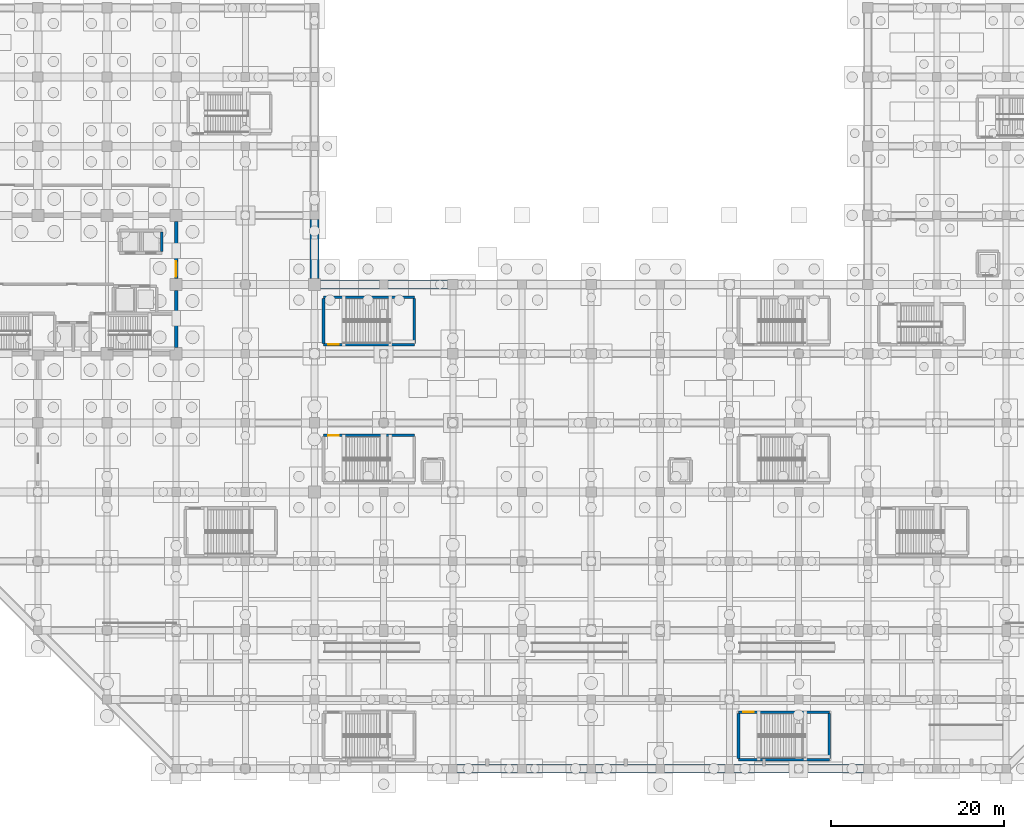
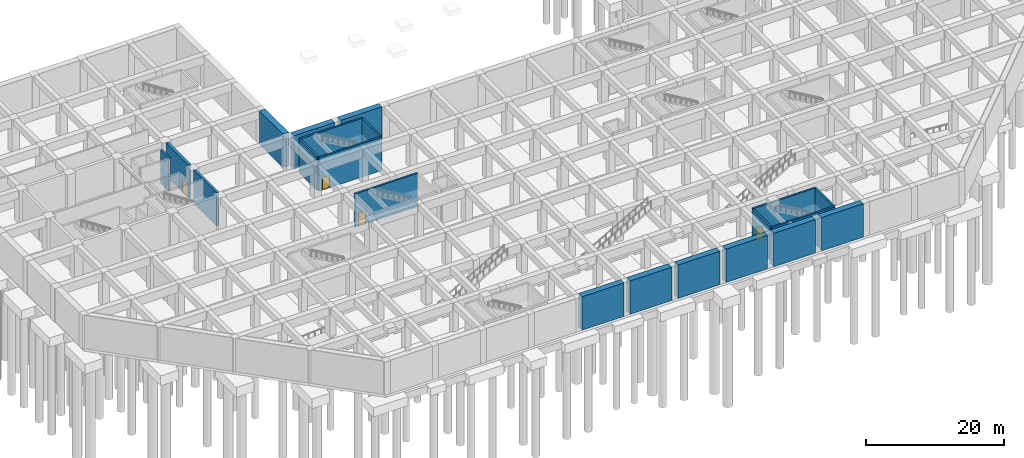
# One storey, part 16 of 26: 21 walls, 4 doors, 4 openings.
"""IFC4 building model written with IfcOpenShell, lengths in metres."""

from ifc_helpers import new_model, si_unit, direction, frame, frame_2d, origin, place, context, subcontext, project, spatial, rectangle, extrude, material, layer, layer_set, type_object, element, fill, save


model = new_model("IFC4")

# Units and contexts
model_context = context("Model", 3, precision=1e-05, world=origin(), true_north=direction((0.0, 1.0)))
body_context = subcontext(model_context, "Body", "Model", "MODEL_VIEW")
ifc_project = project(units=[si_unit("LENGTHUNIT", "METRE"), si_unit("AREAUNIT", "SQUARE_METRE"), si_unit("VOLUMEUNIT", "CUBIC_METRE"), si_unit("PLANEANGLEUNIT", "RADIAN"), si_unit("MASSUNIT", "GRAM", prefix="KILO")], contexts=[model_context])

# Site, building, storey
site_placement = place(None, origin())
site = spatial("IfcSite", under=ifc_project, at=site_placement, CompositionType="ELEMENT")
building_placement = place(site_placement, origin())
building = spatial("IfcBuilding", under=site, at=building_placement, Name="Varnela Railside Interchange", CompositionType="ELEMENT")
storey_placement = place(building_placement, frame((0.0, 0.0, -12.60009765625)))
storey = spatial("IfcBuildingStorey", under=building, at=storey_placement, Name="B2", CompositionType="ELEMENT", Elevation=-12.60009765625)

# Wall
ifc_material_1 = material(Name="Concrete C50", Category="concrete")
ifc_layer_1 = layer(ifc_material_1, 0.39990234375)
ifc_layer_set_1 = layer_set([ifc_layer_1], Name="Concrete C50")
wall_type_1 = type_object("IfcWallType", Name="Core Coupling Shear Wall SW-02", PredefinedType="SHEAR", material=ifc_layer_set_1)
wall_1_placement = place(storey_placement, frame((36.0, 54.699951171875, 0.0), z_axis=(0.0, 0.0, 1.0), x_axis=(0.0, 1.0, 0.0)))
element("IfcWall", 1, at=wall_1_placement, inside=storey, type_object=wall_type_1, Name="Core Coupling Shear Wall SW-02 (B2) (WL-0001)", PredefinedType="SHEAR", context=body_context, shape_type="SweptSolid", body=[
    extrude(rectangle(XDim=6.60009765625, YDim=0.39990234375, at=frame_2d((3.300048828125, 0.0))), origin(), (0.0, 0.0, 1.0), 5.900146484375),
])

# Wall, opening, door
wall_2_placement = place(storey_placement, frame((36.0, 62.699951171875, 0.0), z_axis=(0.0, 0.0, 1.0), x_axis=(0.0, 1.0, 0.0)))
wall_2 = element("IfcWall", 2, at=wall_2_placement, inside=storey, type_object=wall_type_1, Name="Core Coupling Shear Wall SW-02 (B2) (WL-0002)", PredefinedType="SHEAR", context=body_context, shape_type="SweptSolid", body=[
    extrude(rectangle(XDim=6.60009765625, YDim=0.39990234375, at=frame_2d((3.300048828125, 0.0))), origin(), (0.0, 0.0, 1.0), 5.900146484375),
])
opening_1_placement = place(wall_2_placement, frame((0.199951171875, 0.0, 0.0)))
opening_1 = element("IfcOpeningElement", 3, at=opening_1_placement, cuts=wall_2, Name="Opening D-106", PredefinedType="OPENING", context=body_context, shape_type="SweptSolid", body=[
    extrude(rectangle(XDim=1.800048828125, YDim=2.199951171875, at=frame_2d((0.89990234375, 1.10009765625))), frame((0.0, 0.2099609375, 0.0), z_axis=(0.0, -1.0, 0.0), x_axis=(1.0, 0.0, 0.0)), (0.0, 0.0, 1.0), 0.419921875),
])
ifc_material_2 = material(Name="Steel AR 350 (350 MPa)", Category="steel")
door_type_1 = type_object("IfcDoorType", Name="DR-DBL-1800-FD60", OperationType="DOUBLE_DOOR_SINGLE_SWING", PredefinedType="DOOR", material=ifc_material_2)
door_1_placement = place(opening_1_placement, origin())
door_1 = element("IfcDoor", 4, at=door_1_placement, inside=storey, type_object=door_type_1, Name="Door D-106", OperationType="DOUBLE_DOOR_SINGLE_SWING", OverallHeight=2.199951171875, OverallWidth=1.800048828125, PredefinedType="DOOR", context=body_context, shape_type="SweptSolid", body=[
    extrude(rectangle(XDim=1.800048828125, YDim=2.199951171875, at=frame_2d((0.89990234375, 1.10009765625))), frame((0.0, 0.02490234375, 0.0), z_axis=(0.0, -1.0, 0.0), x_axis=(1.0, 0.0, 0.0)), (0.0, 0.0, 1.0), 0.050048828125),
])
fill(opening_1, door_1)

# Walls
ifc_layer_2 = layer(ifc_material_1, 1.0)
ifc_layer_set_2 = layer_set([ifc_layer_2], Name="Concrete C50")
wall_type_2 = type_object("IfcWallType", Name="Perimeter Diaphragm Wall DW-01", PredefinedType="USERDEFINED", material=ifc_layer_set_2)
for number, where, z_axis, x_axis, name in (
    (5, (68.5, 6.0, 0.0), (0.0, 0.0, 1.0), (1.0, 0.0, 0.0), "Perimeter Diaphragm Wall DW-01 (B2) (WL-0070)"),
    (6, (76.5, 6.0, 0.0), (0.0, 0.0, 1.0), (1.0, 0.0, 0.0), "Perimeter Diaphragm Wall DW-01 (B2) (WL-0071)"),
    (7, (84.5, 6.0, 0.0), (0.0, 0.0, 1.0), (1.0, 0.0, 0.0), "Perimeter Diaphragm Wall DW-01 (B2) (WL-0072)"),
    (8, (92.5, 6.0, 0.0), (0.0, 0.0, 1.0), (1.0, 0.0, 0.0), "Perimeter Diaphragm Wall DW-01 (B2) (WL-0073)"),
    (9, (100.5, 6.0, 0.0), (0.0, 0.0, 1.0), (1.0, 0.0, 0.0), "Perimeter Diaphragm Wall DW-01 (B2) (WL-0074)"),
    (10, (108.5, 6.0, 0.0), (0.0, 0.0, 1.0), (1.0, 0.0, 0.0), "Perimeter Diaphragm Wall DW-01 (B2) (WL-0075)"),
):
    element("IfcWall", number, at=place(storey_placement, frame(where, z_axis=z_axis, x_axis=x_axis)), inside=storey, type_object=wall_type_2, Name=name, ObjectType="RETAININGWALL", PredefinedType="USERDEFINED", context=body_context, shape_type="SweptSolid", body=[
        extrude(rectangle(XDim=7.0, YDim=1.0, at=frame_2d((3.5, 0.0))), origin(), (0.0, 0.0, 1.0), 5.900146484375),
    ])
wall_3_placement = place(storey_placement, frame((67.39990234375, 62.0, 0.0), z_axis=(0.0, 0.0, 1.0), x_axis=(-1.0, 0.0, 0.0)))
element("IfcWall", 11, at=wall_3_placement, inside=storey, type_object=wall_type_2, Name="Perimeter Diaphragm Wall DW-01 (B2) (WL-0050)", ObjectType="RETAININGWALL", PredefinedType="USERDEFINED", context=body_context, shape_type="SweptSolid", body=[
    extrude(rectangle(XDim=6.89990234375, YDim=1.0, at=frame_2d((3.449951171875, 0.0))), origin(), (0.0, 0.0, 1.0), 5.900146484375),
])
for number, where, z_axis, x_axis, name in (
    (12, (59.5, 62.0, 0.0), (0.0, 0.0, 1.0), (-1.0, 0.0, 0.0), "Perimeter Diaphragm Wall DW-01 (B2) (WL-0051)"),
    (13, (52.0, 62.699951171875, 0.0), (0.0, 0.0, 1.0), (0.0, 1.0, 0.0), "Perimeter Diaphragm Wall DW-01 (B2) (WL-0052)"),
):
    element("IfcWall", number, at=place(storey_placement, frame(where, z_axis=z_axis, x_axis=x_axis)), inside=storey, type_object=wall_type_2, Name=name, ObjectType="RETAININGWALL", PredefinedType="USERDEFINED", context=body_context, shape_type="SweptSolid", body=[
        extrude(rectangle(XDim=6.800048828125, YDim=1.0, at=frame_2d((3.39990234375, 0.0))), origin(), (0.0, 0.0, 1.0), 5.900146484375),
    ])
ifc_layer_3 = layer(ifc_material_1, 0.300048828125)
ifc_layer_set_3 = layer_set([ifc_layer_3], Name="Concrete C50")
wall_type_3 = type_object("IfcWallType", Name="Stair & Lift Shaft Wall SW-03", PredefinedType="SHEAR", material=ifc_layer_set_3)
wall_4_placement = place(storey_placement, frame((34.35009765625, 65.800048828125, 0.0), z_axis=(0.0, 0.0, 1.0), x_axis=(0.0, 1.0, 0.0)))
element("IfcWall", 14, at=wall_4_placement, inside=storey, type_object=wall_type_3, Name="Stair & Lift Shaft Wall SW-03 (B2) (WL-0011)", PredefinedType="SHEAR", context=body_context, shape_type="SweptSolid", body=[
    extrude(rectangle(XDim=2.300048828125, YDim=0.300048828125, at=frame_2d((1.14990234375, 0.0))), origin(), (0.0, 0.0, 1.0), 5.900146484375),
])

# Wall, opening, door
wall_5_placement = place(storey_placement, frame((53.050048828125, 44.550048828125, 0.0), z_axis=(0.0, 0.0, 1.0), x_axis=(1.0, 0.0, 0.0)))
wall_5 = element("IfcWall", 15, at=wall_5_placement, inside=storey, type_object=wall_type_3, Name="Stair & Lift Shaft Wall SW-03 (B2) (WL-0106)", PredefinedType="SHEAR", context=body_context, shape_type="SweptSolid", body=[
    extrude(rectangle(XDim=10.5, YDim=0.300048828125, at=frame_2d((5.25, 0.0))), origin(), (0.0, 0.0, 1.0), 5.900146484375),
])
opening_2_placement = place(wall_5_placement, frame((0.550048828125, 0.0, 0.0)))
opening_2 = element("IfcOpeningElement", 16, at=opening_2_placement, cuts=wall_5, Name="Opening D-110", PredefinedType="OPENING", context=body_context, shape_type="SweptSolid", body=[
    extrude(rectangle(XDim=1.199951171875, YDim=2.199951171875, at=frame_2d((0.60009765625, 1.10009765625))), frame((0.0, 0.159912109375, 0.0), z_axis=(0.0, -1.0, 0.0), x_axis=(1.0, 0.0, 0.0)), (0.0, 0.0, 1.0), 0.320068359375),
])
door_type_2 = type_object("IfcDoorType", Name="DR-SGL-1200-FD90", OperationType="NOTDEFINED", PredefinedType="DOOR", material=ifc_material_2)
door_2_placement = place(opening_2_placement, frame((1.199951171875, 0.0, 0.0), z_axis=(0.0, 0.0, 1.0), x_axis=(-1.0, 0.0, 0.0)))
door_2 = element("IfcDoor", 17, at=door_2_placement, inside=storey, type_object=door_type_2, Name="Door D-110", OperationType="SINGLE_SWING_RIGHT", OverallHeight=2.199951171875, OverallWidth=1.199951171875, PredefinedType="DOOR", context=body_context, shape_type="SweptSolid", body=[
    extrude(rectangle(XDim=1.199951171875, YDim=2.199951171875, at=frame_2d((0.60009765625, 1.10009765625))), frame((0.0, 0.02490234375, 0.0), z_axis=(0.0, -1.0, 0.0), x_axis=(1.0, 0.0, 0.0)), (0.0, 0.0, 1.0), 0.050048828125),
])
fill(opening_2, door_2)

# Wall
wall_6_placement = place(storey_placement, frame((53.050048828125, 60.550048828125, 0.0), z_axis=(0.0, 0.0, 1.0), x_axis=(1.0, 0.0, 0.0)))
element("IfcWall", 18, at=wall_6_placement, inside=storey, type_object=wall_type_3, Name="Stair & Lift Shaft Wall SW-03 (B2) (WL-0114)", PredefinedType="SHEAR", context=body_context, shape_type="SweptSolid", body=[
    extrude(rectangle(XDim=10.5, YDim=0.300048828125, at=frame_2d((5.25, 0.0))), origin(), (0.0, 0.0, 1.0), 5.900146484375),
])

# Wall, opening, door
wall_7_placement = place(storey_placement, frame((53.050048828125, 55.050048828125, 0.0), z_axis=(0.0, 0.0, 1.0), x_axis=(1.0, 0.0, 0.0)))
wall_7 = element("IfcWall", 19, at=wall_7_placement, inside=storey, type_object=wall_type_3, Name="Stair & Lift Shaft Wall SW-03 (B2) (WL-0115)", PredefinedType="SHEAR", context=body_context, shape_type="SweptSolid", body=[
    extrude(rectangle(XDim=10.5, YDim=0.300048828125, at=frame_2d((5.25, 0.0))), origin(), (0.0, 0.0, 1.0), 5.900146484375),
])
opening_3_placement = place(wall_7_placement, frame((0.550048828125, 0.0, 0.0)))
opening_3 = element("IfcOpeningElement", 20, at=opening_3_placement, cuts=wall_7, Name="Opening D-112", PredefinedType="OPENING", context=body_context, shape_type="SweptSolid", body=[
    extrude(rectangle(XDim=1.199951171875, YDim=2.199951171875, at=frame_2d((0.60009765625, 1.10009765625))), frame((0.0, 0.159912109375, 0.0), z_axis=(0.0, -1.0, 0.0), x_axis=(1.0, 0.0, 0.0)), (0.0, 0.0, 1.0), 0.320068359375),
])
door_3_placement = place(opening_3_placement, origin())
door_3 = element("IfcDoor", 21, at=door_3_placement, inside=storey, type_object=door_type_2, Name="Door D-112", OperationType="SINGLE_SWING_RIGHT", OverallHeight=2.199951171875, OverallWidth=1.199951171875, PredefinedType="DOOR", context=body_context, shape_type="SweptSolid", body=[
    extrude(rectangle(XDim=1.199951171875, YDim=2.199951171875, at=frame_2d((0.60009765625, 1.10009765625))), frame((0.0, 0.02490234375, 0.0), z_axis=(0.0, -1.0, 0.0), x_axis=(1.0, 0.0, 0.0)), (0.0, 0.0, 1.0), 0.050048828125),
])
fill(opening_3, door_3)

# Walls
for number, where, z_axis, x_axis, name in (
    (22, (53.050048828125, 55.199951171875, 0.0), (0.0, 0.0, 1.0), (0.0, 1.0, 0.0), "Stair & Lift Shaft Wall SW-03 (B2) (WL-0116)"),
    (23, (63.550048828125, 55.199951171875, 0.0), (0.0, 0.0, 1.0), (0.0, 1.0, 0.0), "Stair & Lift Shaft Wall SW-03 (B2) (WL-0113)"),
):
    element("IfcWall", number, at=place(storey_placement, frame(where, z_axis=z_axis, x_axis=x_axis)), inside=storey, type_object=wall_type_3, Name=name, PredefinedType="SHEAR", context=body_context, shape_type="SweptSolid", body=[
        extrude(rectangle(XDim=5.199951171875, YDim=0.300048828125, at=frame_2d((2.60009765625, 0.0))), origin(), (0.0, 0.0, 1.0), 5.900146484375),
    ])

# Wall, opening, door
wall_8_placement = place(storey_placement, frame((101.050048828125, 12.550048828125, 0.0), z_axis=(0.0, 0.0, 1.0), x_axis=(1.0, 0.0, 0.0)))
wall_8 = element("IfcWall", 24, at=wall_8_placement, inside=storey, type_object=wall_type_3, Name="Stair & Lift Shaft Wall SW-03 (B2) (WL-0146)", PredefinedType="SHEAR", context=body_context, shape_type="SweptSolid", body=[
    extrude(rectangle(XDim=10.5, YDim=0.300048828125, at=frame_2d((5.25, 0.0))), origin(), (0.0, 0.0, 1.0), 5.900146484375),
])
opening_4_placement = place(wall_8_placement, frame((0.550048828125, 0.0, 0.0)))
opening_4 = element("IfcOpeningElement", 25, at=opening_4_placement, cuts=wall_8, Name="Opening D-117", PredefinedType="OPENING", context=body_context, shape_type="SweptSolid", body=[
    extrude(rectangle(XDim=1.199951171875, YDim=2.199951171875, at=frame_2d((0.60009765625, 1.10009765625))), frame((0.0, 0.159912109375, 0.0), z_axis=(0.0, -1.0, 0.0), x_axis=(1.0, 0.0, 0.0)), (0.0, 0.0, 1.0), 0.320068359375),
])
door_4_placement = place(opening_4_placement, frame((1.199951171875, 0.0, 0.0), z_axis=(0.0, 0.0, 1.0), x_axis=(-1.0, 0.0, 0.0)))
door_4 = element("IfcDoor", 26, at=door_4_placement, inside=storey, type_object=door_type_2, Name="Door D-117", OperationType="SINGLE_SWING_LEFT", OverallHeight=2.199951171875, OverallWidth=1.199951171875, PredefinedType="DOOR", context=body_context, shape_type="SweptSolid", body=[
    extrude(rectangle(XDim=1.199951171875, YDim=2.199951171875, at=frame_2d((0.60009765625, 1.10009765625))), frame((0.0, 0.02490234375, 0.0), z_axis=(0.0, -1.0, 0.0), x_axis=(1.0, 0.0, 0.0)), (0.0, 0.0, 1.0), 0.050048828125),
])
fill(opening_4, door_4)

# Walls
wall_9_placement = place(storey_placement, frame((101.050048828125, 7.050048828125, 0.0), z_axis=(0.0, 0.0, 1.0), x_axis=(1.0, 0.0, 0.0)))
element("IfcWall", 27, at=wall_9_placement, inside=storey, type_object=wall_type_3, Name="Stair & Lift Shaft Wall SW-03 (B2) (WL-0147)", PredefinedType="SHEAR", context=body_context, shape_type="SweptSolid", body=[
    extrude(rectangle(XDim=10.5, YDim=0.300048828125, at=frame_2d((5.25, 0.0))), origin(), (0.0, 0.0, 1.0), 5.900146484375),
])
for number, where, z_axis, x_axis, name in (
    (28, (101.050048828125, 7.199951171875, 0.0), (0.0, 0.0, 1.0), (0.0, 1.0, 0.0), "Stair & Lift Shaft Wall SW-03 (B2) (WL-0148)"),
    (29, (111.550048828125, 7.199951171875, 0.0), (0.0, 0.0, 1.0), (0.0, 1.0, 0.0), "Stair & Lift Shaft Wall SW-03 (B2) (WL-0145)"),
):
    element("IfcWall", number, at=place(storey_placement, frame(where, z_axis=z_axis, x_axis=x_axis)), inside=storey, type_object=wall_type_3, Name=name, PredefinedType="SHEAR", context=body_context, shape_type="SweptSolid", body=[
        extrude(rectangle(XDim=5.199951171875, YDim=0.300048828125, at=frame_2d((2.60009765625, 0.0))), origin(), (0.0, 0.0, 1.0), 5.900146484375),
    ])

save(model, "model.ifc")
